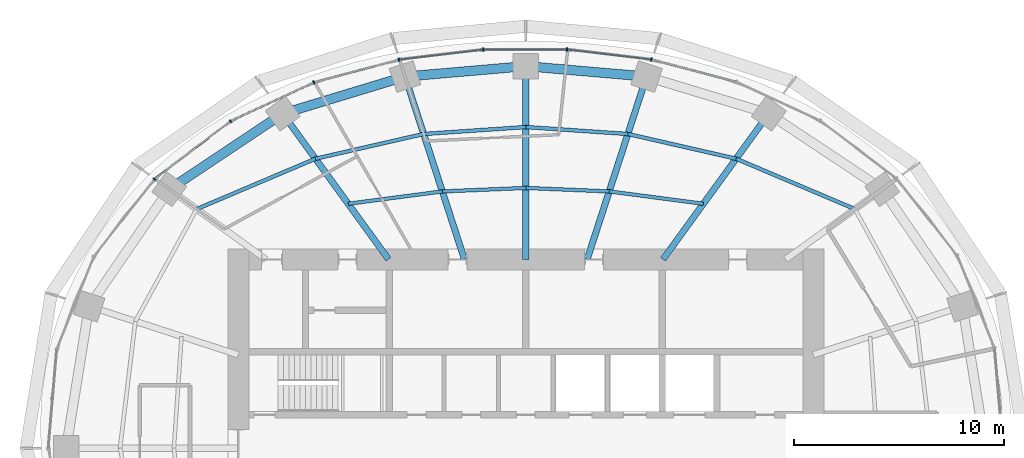
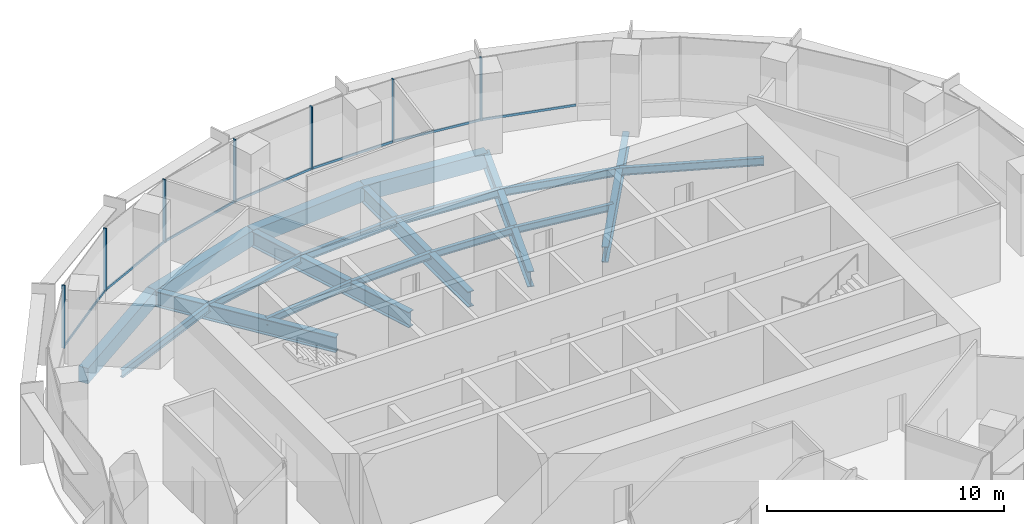
# One storey, part 6 of 13: 19 beams, 14 members, 2 elements without a shape of their own.
"""IFC4 building model written with IfcOpenShell, lengths in metres."""

import ifcopenshell
import ifcopenshell.guid

model = None  # the IFC model being written
_history = None  # IfcOwnerHistory: only IFC2X3 demands one
_inside = {}  # id of a spatial element -> (the spatial element, [elements in it])
_under = {}  # id of a project, library or spatial element -> (it, [spatial elements below it])
_declared = {}  # id of a project -> (the project, [libraries it declares])
_typed = {}  # id of a type object -> (the type object, [elements of that type])
_made_of = {}  # id of a material, layer set ... -> (it, [elements and type objects made of it])


def new_model(schema):
    """Start an empty IFC model of exactly this schema.

    Asked for "IFC4X3", IfcOpenShell would pick the latest addendum, in which some entities
    have other attributes; the version numbers below select the first issue.
    IFC2X3 requires an IfcOwnerHistory on every rooted entity: one is made here for all.
    """
    global model, _history
    if schema == "IFC4X3":
        model = ifcopenshell.file(schema_version=(4, 3, 0, 0))
    else:
        model = ifcopenshell.file(schema=schema)
    _inside.clear()
    _under.clear()
    _declared.clear()
    _typed.clear()
    _made_of.clear()
    _history = None
    if model.schema == "IFC2X3":
        org = make("IfcOrganization", Name="unknown")
        user = make(
            "IfcPersonAndOrganization",
            ThePerson=make("IfcPerson", FamilyName="unknown"),
            TheOrganization=org,
        )
        app = make(
            "IfcApplication",
            ApplicationDeveloper=org,
            Version="unknown",
            ApplicationFullName="unknown",
            ApplicationIdentifier="unknown",
        )
        _history = make(
            "IfcOwnerHistory",
            OwningUser=user,
            OwningApplication=app,
            ChangeAction="ADDED",
            CreationDate=0,
        )
    return model


def make(cls, **values):
    """One entity of the class cls with the attributes given. An attribute that is None is left unset."""
    return model.create_entity(
        cls, **{name: value for name, value in values.items() if value is not None}
    )


def rooted(cls, **values):
    """An entity with a GlobalId (a new one), such as an element, a storey or a relation."""
    return make(cls, GlobalId=ifcopenshell.guid.new(), OwnerHistory=_history, **values)


def si_unit(unit_type, name, prefix=None):
    """IfcSIUnit, for example si_unit("LENGTHUNIT", "METRE", prefix="MILLI")."""
    return make("IfcSIUnit", UnitType=unit_type, Prefix=prefix, Name=name)


def assignment(units):
    """IfcUnitAssignment: the units of a project."""
    return None if units is None else make("IfcUnitAssignment", Units=units)


def point(xyz):
    """IfcCartesianPoint."""
    return None if xyz is None else make("IfcCartesianPoint", Coordinates=xyz)


def direction(xyz):
    """IfcDirection."""
    return None if xyz is None else make("IfcDirection", DirectionRatios=xyz)


def frame(location, z_axis=None, x_axis=None):
    """IfcAxis2Placement3D, a coordinate frame: its origin and axes. An axis left out is left unset."""
    return make(
        "IfcAxis2Placement3D",
        Location=point(location),
        Axis=direction(z_axis),
        RefDirection=direction(x_axis),
    )


def frame_2d(location, x_axis=None):
    """IfcAxis2Placement2D, a coordinate frame in the plane: its origin and x axis."""
    return make(
        "IfcAxis2Placement2D", Location=point(location), RefDirection=direction(x_axis)
    )


def origin():
    """The frame at (0, 0, 0) with its axes left unset."""
    return frame((0.0, 0.0, 0.0))


def origin_2d():
    """The frame at (0, 0) in the plane with its x axis left unset."""
    return frame_2d((0.0, 0.0))


def place(relative_to, where):
    """IfcLocalPlacement: puts the frame where relative to a parent placement (None: the world)."""
    return make(
        "IfcLocalPlacement", PlacementRelTo=relative_to, RelativePlacement=where
    )


def context(
    kind, dimensions, precision=None, world=None, true_north=None, identifier=None
):
    """IfcGeometricRepresentationContext, for example the 3D "Model" context."""
    return make(
        "IfcGeometricRepresentationContext",
        ContextIdentifier=identifier,
        ContextType=kind,
        CoordinateSpaceDimension=dimensions,
        Precision=precision,
        WorldCoordinateSystem=world,
        TrueNorth=true_north,
    )


def subcontext(parent, identifier, kind, view, scale=None):
    """IfcGeometricRepresentationSubContext, for example "Body" below "Model"."""
    return make(
        "IfcGeometricRepresentationSubContext",
        ContextIdentifier=identifier,
        ContextType=kind,
        ParentContext=parent,
        TargetScale=scale,
        TargetView=view,
    )


def project(units=None, contexts=None):
    """IfcProject with its units and contexts."""
    return rooted(
        "IfcProject",
        Name="project",
        RepresentationContexts=contexts,
        UnitsInContext=assignment(units),
    )


def spatial(cls, under=None, at=None, **own):
    """A site, building, storey or space (cls), placed at a placement, below another one or the project."""
    s = rooted(cls, ObjectPlacement=at, **own)
    if under is not None:
        _under.setdefault(under.id(), (under, []))[1].append(s)
    return s


def profile(cls, at=None, kind="AREA", **sizes):
    """A parametric profile (cls). Its sizes go by their IFC names, for example OverallWidth=200.0."""
    return make(cls, ProfileType=kind, Position=at, **sizes)


def rectangle(**sizes):
    """IfcRectangleProfileDef."""
    return profile("IfcRectangleProfileDef", **sizes)


def i_section(**sizes):
    """IfcIShapeProfileDef."""
    return profile("IfcIShapeProfileDef", **sizes)


def extrude(swept, where, along, depth):
    """IfcExtrudedAreaSolid: the profile swept, set in the frame where, extruded along a direction by depth."""
    return make(
        "IfcExtrudedAreaSolid",
        SweptArea=swept,
        Position=where,
        ExtrudedDirection=direction(along),
        Depth=depth,
    )


def shape(context_of_items, identifier, shape_type, items):
    """IfcShapeRepresentation: the items that make up one representation, for example the "Body"."""
    return make(
        "IfcShapeRepresentation",
        ContextOfItems=context_of_items,
        RepresentationIdentifier=identifier,
        RepresentationType=shape_type,
        Items=items,
    )


def material(Name=None, Category=None):
    """IfcMaterial."""
    return make("IfcMaterial", Name=Name, Category=Category)


def material_profile(
    of_material, cross_section, Name=None, Category=None, Priority=None
):
    """IfcMaterialProfile: a cross section and its material."""
    return make(
        "IfcMaterialProfile",
        Name=Name,
        Material=of_material,
        Profile=cross_section,
        Priority=Priority,
        Category=Category,
    )


def profile_set(profiles, Name=None, composite=None):
    """IfcMaterialProfileSet."""
    return make(
        "IfcMaterialProfileSet",
        Name=Name,
        MaterialProfiles=profiles,
        CompositeProfile=composite,
    )


def made_of(thing, what):
    """Note that an element or type object is made of a material, layer set ...; save() writes the relation."""
    if what is not None:
        _made_of.setdefault(what.id(), (what, []))[1].append(thing)
    return thing


def type_object(cls, material=None, **own):
    """A type object (cls), such as IfcWallType, which elements share."""
    return made_of(rooted(cls, **own), material)


def element(
    cls,
    number,
    at=None,
    inside=None,
    cuts=None,
    type_object=None,
    material=None,
    context=None,
    identifier="Body",
    shape_type=None,
    held_by="IfcProductDefinitionShape",
    body=None,
    shapes=None,
    **own,
):
    """One element of the class cls, such as IfcWall. Its Tag is "e" and its number.

    at: its placement. inside: the storey or other place that contains it. cuts: it is an
    opening in that element (IfcRelVoidsElement). A single representation is given by context,
    identifier, shape_type and body (its items); several are given by shapes. held_by: the class
    of the entity that holds the representations. save() writes the other relations.
    """
    e = rooted(cls, Tag="e%d" % number, ObjectPlacement=at, **own)
    if body is not None:
        shapes = [shape(context, identifier, shape_type, body)]
    if shapes is not None:
        e.Representation = make(held_by, Representations=shapes)
    if inside is not None:
        _inside.setdefault(inside.id(), (inside, []))[1].append(e)
    if cuts is not None:
        rooted(
            "IfcRelVoidsElement", RelatingBuildingElement=cuts, RelatedOpeningElement=e
        )
    if type_object is not None:
        _typed.setdefault(type_object.id(), (type_object, []))[1].append(e)
    return made_of(e, material)


def aggregate(whole, parts):
    """IfcRelAggregates: a whole, such as a stair, and the parts it consists of."""
    return rooted("IfcRelAggregates", RelatingObject=whole, RelatedObjects=parts)


def save(model, path):
    """Write the relations noted so far, then the file.

    IfcRelAggregates (storeys below a building ...), IfcRelContainedInSpatialStructure (elements
    in a storey), IfcRelDefinesByType, IfcRelAssociatesMaterial and IfcRelDeclares: one each for
    every whole, place, type object, material and project.
    """
    for whole, parts in _under.values():
        aggregate(whole, parts)
    for where, things in _inside.values():
        rooted(
            "IfcRelContainedInSpatialStructure",
            RelatedElements=things,
            RelatingStructure=where,
        )
    for kind, things in _typed.values():
        rooted("IfcRelDefinesByType", RelatedObjects=things, RelatingType=kind)
    for what, things in _made_of.values():
        rooted("IfcRelAssociatesMaterial", RelatedObjects=things, RelatingMaterial=what)
    for by, libraries in _declared.values():
        rooted("IfcRelDeclares", RelatingContext=by, RelatedDefinitions=libraries)
    model.write(path)


model = new_model("IFC4")

# Units and contexts
model_context = context("Model", 3, precision=1e-05, world=origin(), true_north=direction((0.0, 1.0)))
body_context = subcontext(model_context, "Body", "Model", "MODEL_VIEW")
ifc_project = project(units=[si_unit("LENGTHUNIT", "METRE"), si_unit("AREAUNIT", "SQUARE_METRE"), si_unit("VOLUMEUNIT", "CUBIC_METRE"), si_unit("PLANEANGLEUNIT", "RADIAN"), si_unit("MASSUNIT", "GRAM", prefix="KILO")], contexts=[model_context])

# Site, building, storey
site_placement = place(None, origin())
site = spatial("IfcSite", under=ifc_project, at=site_placement, CompositionType="ELEMENT")
building_placement = place(site_placement, origin())
building = spatial("IfcBuilding", under=site, at=building_placement, Name="Marramba Exchange Tower", CompositionType="ELEMENT")
storey_placement = place(building_placement, frame((0.0, 0.0, 260.199951171875)))
storey = spatial("IfcBuildingStorey", under=building, at=storey_placement, Name="L63", CompositionType="ELEMENT", Elevation=260.199951171875)

# Curtain wall, members
ifc_material_1 = material(Name="Aluminium framing, bronze anodised", Category="aluminium")
curtain_wall_type = type_object("IfcCurtainWallType", Name="Executive floor ribbon curtain wall", PredefinedType="USERDEFINED", material=ifc_material_1)
curtain_wall_1_placement = place(storey_placement, origin())
curtain_wall_1 = element("IfcCurtainWall", 1, at=curtain_wall_1_placement, inside=storey, type_object=curtain_wall_type, Name="Curtain wall CW5 L63 F06-F10", ObjectType="RIBBON CURTAIN WALL", PredefinedType="USERDEFINED")
ifc_material_2 = material(Name="Aluminium mullion, bronze anodised", Category="aluminium")
ifc_material_profile_1 = material_profile(ifc_material_2, rectangle(XDim=0.159912109375, YDim=0.06005859375, at=origin_2d()), Name="CW5 mullion 60x160")
ifc_profile_set_1 = profile_set([ifc_material_profile_1], Name="Aluminium mullion, bronze anodised")
member_type_1 = type_object("IfcMemberType", Name="Executive floor ribbon curtain wall mullion", PredefinedType="MULLION", material=ifc_profile_set_1)
member_1_placement = place(storey_placement, frame((5.98681640625, 18.5205078125, 0.800048828125), z_axis=(0.0, 0.0, 1.0), x_axis=(-0.118556954505, -0.992947253654, 0.0)))
member_1 = element("IfcMember", 2, at=member_1_placement, type_object=member_type_1, Name="CW5 mullion 1", PredefinedType="MULLION", context=body_context, shape_type="SweptSolid", body=[
    extrude(rectangle(XDim=0.159912109375, YDim=0.06005859375, at=origin_2d()), origin(), (0.0, 0.0, 1.0), 3.239990234375),
])
member_2_placement = place(storey_placement, frame((1.966552734375, 18.9970703125, 0.800048828125), z_axis=(0.0, 0.0, 1.0), x_axis=(0.0, -1.0, 0.0)))
member_2 = element("IfcMember", 3, at=member_2_placement, type_object=member_type_1, Name="CW5 mullion 1", PredefinedType="MULLION", context=body_context, shape_type="SweptSolid", body=[
    extrude(rectangle(XDim=0.159912109375, YDim=0.06005859375, at=origin_2d()), origin(), (0.0, 0.0, 1.0), 3.239990234375),
])
member_3_placement = place(storey_placement, frame((-2.0263671875, 18.993408203125, 0.800048828125), z_axis=(0.0, 0.0, 1.0), x_axis=(0.118556954505, -0.992947253654, 0.0)))
member_3 = element("IfcMember", 4, at=member_3_placement, type_object=member_type_1, Name="CW5 mullion 1", PredefinedType="MULLION", context=body_context, shape_type="SweptSolid", body=[
    extrude(rectangle(XDim=0.159912109375, YDim=0.06005859375, at=origin_2d()), origin(), (0.0, 0.0, 1.0), 3.239990234375),
])
member_4_placement = place(storey_placement, frame((-6.045654296875, 18.50927734375, 0.800048828125), z_axis=(0.0, 0.0, 1.0), x_axis=(0.256125574813, -0.966643517501, 0.0)))
member_4 = element("IfcMember", 5, at=member_4_placement, type_object=member_type_1, Name="CW5 mullion 1", PredefinedType="MULLION", context=body_context, shape_type="SweptSolid", body=[
    extrude(rectangle(XDim=0.159912109375, YDim=0.06005859375, at=origin_2d()), origin(), (0.0, 0.0, 1.0), 3.239990234375),
])

curtain_wall_2_placement = place(storey_placement, origin())
curtain_wall_2 = element("IfcCurtainWall", 6, at=curtain_wall_2_placement, inside=storey, type_object=curtain_wall_type, Name="Curtain wall CW5 L63 F11-F15", ObjectType="RIBBON CURTAIN WALL", PredefinedType="USERDEFINED")
member_5_placement = place(storey_placement, frame((-10.097900390625, 17.43017578125, 0.800048828125), z_axis=(0.0, 0.0, 1.0), x_axis=(0.420849274712, -0.90713057934, 0.0)))
member_5 = element("IfcMember", 7, at=member_5_placement, type_object=member_type_1, Name="CW5 mullion 1", PredefinedType="MULLION", context=body_context, shape_type="SweptSolid", body=[
    extrude(rectangle(XDim=0.159912109375, YDim=0.06005859375, at=origin_2d()), origin(), (0.0, 0.0, 1.0), 3.239990234375),
])
member_6_placement = place(storey_placement, frame((-14.069091796875, 15.58056640625, 0.800048828125), z_axis=(0.0, 0.0, 1.0), x_axis=(0.605219156516, -0.796058900199, 0.0)))
member_6 = element("IfcMember", 8, at=member_6_placement, type_object=member_type_1, Name="CW5 mullion 1", PredefinedType="MULLION", context=body_context, shape_type="SweptSolid", body=[
    extrude(rectangle(XDim=0.159912109375, YDim=0.06005859375, at=origin_2d()), origin(), (0.0, 0.0, 1.0), 3.239990234375),
])
member_7_placement = place(storey_placement, frame((-17.69189453125, 12.81689453125, 0.800048828125), z_axis=(0.0, 0.0, 1.0), x_axis=(0.786002861604, -0.618222857512, 0.0)))
member_7 = element("IfcMember", 9, at=member_7_placement, type_object=member_type_1, Name="CW5 mullion 1", PredefinedType="MULLION", context=body_context, shape_type="SweptSolid", body=[
    extrude(rectangle(XDim=0.159912109375, YDim=0.06005859375, at=origin_2d()), origin(), (0.0, 0.0, 1.0), 3.239990234375),
])

# Member
ifc_material_3 = material(Name="Aluminium transom, bronze anodised", Category="aluminium")
ifc_material_profile_2 = material_profile(ifc_material_3, rectangle(XDim=0.06005859375, YDim=0.1201171875, at=origin_2d()), Name="CW5 transom 60x120")
ifc_profile_set_2 = profile_set([ifc_material_profile_2], Name="Aluminium transom, bronze anodised")
member_type_2 = type_object("IfcMemberType", Name="Executive floor ribbon curtain wall transom", PredefinedType="USERDEFINED", material=ifc_profile_set_2)
member_8_placement = place(storey_placement, frame((10.0126953125, 17.458251953125, 0.830078125), z_axis=(-0.966642465832, 0.256129543885, 0.0), x_axis=(-0.256129543885, -0.966642465832, 0.0)))
member_8 = element("IfcMember", 10, at=member_8_placement, type_object=member_type_2, Name="CW5 sill transom", ObjectType="TRANSOM", PredefinedType="USERDEFINED", context=body_context, shape_type="SweptSolid", body=[
    extrude(rectangle(XDim=0.06005859375, YDim=0.1201171875, at=origin_2d()), origin(), (0.0, 0.0, 1.0), 4.134033203125),
])

member_9_placement = place(storey_placement, frame((5.95703125, 18.524169921875, 0.830078125), z_axis=(-0.992946470513, 0.118563513339, 0.0), x_axis=(-0.118563513339, -0.992946470513, 0.0)))
member_9 = element("IfcMember", 11, at=member_9_placement, type_object=member_type_2, Name="CW5 sill transom", ObjectType="TRANSOM", PredefinedType="USERDEFINED", context=body_context, shape_type="SweptSolid", body=[
    extrude(rectangle(XDim=0.06005859375, YDim=0.1201171875, at=origin_2d()), origin(), (0.0, 0.0, 1.0), 3.988525390625),
])

member_10_placement = place(storey_placement, frame((1.936767578125, 18.9970703125, 0.830078125), z_axis=(-1.0, 0.0, 0.0), x_axis=(0.0, -1.0, 0.0)))
member_10 = element("IfcMember", 12, at=member_10_placement, type_object=member_type_2, Name="CW5 sill transom", ObjectType="TRANSOM", PredefinedType="USERDEFINED", context=body_context, shape_type="SweptSolid", body=[
    extrude(rectangle(XDim=0.06005859375, YDim=0.1201171875, at=origin_2d()), origin(), (0.0, 0.0, 1.0), 3.933349609375),
])

member_11_placement = place(storey_placement, frame((-2.05615234375, 18.98974609375, 0.830078125), z_axis=(-0.992953674799, -0.11850316326, 0.0), x_axis=(0.11850316326, -0.992953674799, 0.0)))
member_11 = element("IfcMember", 13, at=member_11_placement, type_object=member_type_2, Name="CW5 sill transom", ObjectType="TRANSOM", PredefinedType="USERDEFINED", context=body_context, shape_type="SweptSolid", body=[
    extrude(rectangle(XDim=0.06005859375, YDim=0.1201171875, at=origin_2d()), origin(), (0.0, 0.0, 1.0), 3.988525390625),
])

member_12_placement = place(storey_placement, frame((-6.074462890625, 18.501708984375, 0.830078125), z_axis=(-0.966642465832, -0.256129543885, 0.0), x_axis=(0.256129543885, -0.966642465832, 0.0)))
member_12 = element("IfcMember", 14, at=member_12_placement, type_object=member_type_2, Name="CW5 sill transom", ObjectType="TRANSOM", PredefinedType="USERDEFINED", context=body_context, shape_type="SweptSolid", body=[
    extrude(rectangle(XDim=0.06005859375, YDim=0.1201171875, at=origin_2d()), origin(), (0.0, 0.0, 1.0), 4.134033203125),
])

aggregate(curtain_wall_1, [member_8, member_1, member_9, member_2, member_10, member_3, member_11, member_4, member_12])

member_13_placement = place(storey_placement, frame((-10.125, 17.41748046875, 0.830078125), z_axis=(-0.907139165053, -0.420830767919, 0.0), x_axis=(0.420830767919, -0.907139165053, 0.0)))
member_13 = element("IfcMember", 15, at=member_13_placement, type_object=member_type_2, Name="CW5 sill transom", ObjectType="TRANSOM", PredefinedType="USERDEFINED", context=body_context, shape_type="SweptSolid", body=[
    extrude(rectangle(XDim=0.06005859375, YDim=0.1201171875, at=origin_2d()), origin(), (0.0, 0.0, 1.0), 4.321533203125),
])

member_14_placement = place(storey_placement, frame((-14.093017578125, 15.5625, 0.830078125), z_axis=(-0.796068041642, -0.605207132374, 0.0), x_axis=(0.605207132374, -0.796068041642, 0.0)))
member_14 = element("IfcMember", 16, at=member_14_placement, type_object=member_type_2, Name="CW5 sill transom", ObjectType="TRANSOM", PredefinedType="USERDEFINED", context=body_context, shape_type="SweptSolid", body=[
    extrude(rectangle(XDim=0.06005859375, YDim=0.1201171875, at=origin_2d()), origin(), (0.0, 0.0, 1.0), 4.49755859375),
])

aggregate(curtain_wall_2, [member_5, member_13, member_6, member_14, member_7])

# Beams
ifc_material_4 = material(Name="Steel AS/NZS 3679.1 grade 300", Category="steel")
ifc_material_profile_3 = material_profile(ifc_material_4, i_section(OverallWidth=0.1708984375, OverallDepth=0.35595703125, WebThickness=0.00732421875, FlangeThickness=0.011474609375, FilletRadius=0.011474609375, at=origin_2d()), Name="360UB50.7")
ifc_profile_set_3 = profile_set([ifc_material_profile_3], Name="Steel AS/NZS 3679.1 grade 300")
beam_type_1 = type_object("IfcBeamType", Name="Floor joist 360UB50.7", PredefinedType="JOIST", material=ifc_profile_set_3)
beam_1_placement = place(storey_placement, frame((8.4619140625, 11.646728515625, -0.337890625), z_axis=(-0.991480538255, 0.130254912618, 0.0), x_axis=(-0.130254912618, -0.991480538255, 0.0)))
element("IfcBeam", 17, at=beam_1_placement, inside=storey, type_object=beam_type_1, Name="Joist L63 bay 04 row 1", PredefinedType="JOIST", context=body_context, shape_type="SweptSolid", body=[
    extrude(i_section(OverallWidth=0.1708984375, OverallDepth=0.35595703125, WebThickness=0.00732421875, FlangeThickness=0.011474609375, FilletRadius=0.011474609375, at=origin_2d()), origin(), (0.0, 0.0, 1.0), 4.524658203125),
])
for number, where, z_axis, x_axis, name in (
    (18, (3.975830078125, 12.236083984375, -0.337890625), (-0.999137002892, 0.041536122257, 0.0), (-0.041536122257, -0.999137002892, 0.0), "Joist L63 bay 05 row 1"),
    (19, (0.0, 12.4013671875, -0.337890625), (-0.999137002892, -0.041536122257, 0.0), (0.041536122257, -0.999137002892, 0.0), "Joist L63 bay 06 row 1"),
):
    element("IfcBeam", number, at=place(storey_placement, frame(where, z_axis=z_axis, x_axis=x_axis)), inside=storey, type_object=beam_type_1, Name=name, PredefinedType="JOIST", context=body_context, shape_type="SweptSolid", body=[
        extrude(i_section(OverallWidth=0.1708984375, OverallDepth=0.35595703125, WebThickness=0.00732421875, FlangeThickness=0.011474609375, FilletRadius=0.011474609375, at=origin_2d()), origin(), (0.0, 0.0, 1.0), 3.979248046875),
    ])
beam_2_placement = place(storey_placement, frame((-3.975830078125, 12.236083984375, -0.337890625), z_axis=(-0.991480538255, -0.130254912618, 0.0), x_axis=(0.130254912618, -0.991480538255, 0.0)))
element("IfcBeam", 20, at=beam_2_placement, inside=storey, type_object=beam_type_1, Name="Joist L63 bay 07 row 1", PredefinedType="JOIST", context=body_context, shape_type="SweptSolid", body=[
    extrude(i_section(OverallWidth=0.1708984375, OverallDepth=0.35595703125, WebThickness=0.00732421875, FlangeThickness=0.011474609375, FilletRadius=0.011474609375, at=origin_2d()), origin(), (0.0, 0.0, 1.0), 4.524658203125),
])
ifc_material_profile_4 = material_profile(ifc_material_4, i_section(OverallWidth=0.177978515625, OverallDepth=0.403076171875, WebThickness=0.007568359375, FlangeThickness=0.010986328125, FilletRadius=0.011474609375, at=origin_2d()), Name="410UB53.7")
ifc_profile_set_4 = profile_set([ifc_material_profile_4], Name="Steel AS/NZS 3679.1 grade 300")
beam_type_2 = type_object("IfcBeamType", Name="Floor joist 410UB53.7", PredefinedType="JOIST", material=ifc_profile_set_4)
beam_3_placement = place(storey_placement, frame((15.682373046875, 11.393798828125, -0.361572265625), z_axis=(-0.920674336375, 0.390331610738, 0.0), x_axis=(-0.390331610738, -0.920674336375, 0.0)))
element("IfcBeam", 21, at=beam_3_placement, inside=storey, type_object=beam_type_2, Name="Joist L63 bay 03 row 2", PredefinedType="JOIST", context=body_context, shape_type="SweptSolid", body=[
    extrude(i_section(OverallWidth=0.177978515625, OverallDepth=0.403076171875, WebThickness=0.007568359375, FlangeThickness=0.010986328125, FilletRadius=0.011474609375, at=origin_2d()), origin(), (0.0, 0.0, 1.0), 6.1484375),
])
beam_4_placement = place(storey_placement, frame((10.021728515625, 13.793701171875, -0.361572265625), z_axis=(-0.974859652292, 0.222819788916, 0.0), x_axis=(-0.222819788916, -0.974859652292, 0.0)))
element("IfcBeam", 22, at=beam_4_placement, inside=storey, type_object=beam_type_2, Name="Joist L63 bay 04 row 2", PredefinedType="JOIST", context=body_context, shape_type="SweptSolid", body=[
    extrude(i_section(OverallWidth=0.177978515625, OverallDepth=0.403076171875, WebThickness=0.007568359375, FlangeThickness=0.010986328125, FilletRadius=0.011474609375, at=origin_2d()), origin(), (0.0, 0.0, 1.0), 5.2900390625),
])
for number, where, z_axis, x_axis, name in (
    (23, (4.86474609375, 14.972412109375, -0.361572265625), (-0.997702652202, 0.067745241816, 0.0), (-0.067745241816, -0.997702652202, 0.0), "Joist L63 bay 05 row 2"),
    (24, (0.0, 15.302734375, -0.361572265625), (-0.997702652202, -0.067745241816, 0.0), (0.067745241816, -0.997702652202, 0.0), "Joist L63 bay 06 row 2"),
):
    element("IfcBeam", number, at=place(storey_placement, frame(where, z_axis=z_axis, x_axis=x_axis)), inside=storey, type_object=beam_type_2, Name=name, PredefinedType="JOIST", context=body_context, shape_type="SweptSolid", body=[
        extrude(i_section(OverallWidth=0.177978515625, OverallDepth=0.403076171875, WebThickness=0.007568359375, FlangeThickness=0.010986328125, FilletRadius=0.011474609375, at=origin_2d()), origin(), (0.0, 0.0, 1.0), 4.8759765625),
    ])
beam_5_placement = place(storey_placement, frame((-4.86474609375, 14.972412109375, -0.361572265625), z_axis=(-0.974859652292, -0.222819788916, 0.0), x_axis=(0.222819788916, -0.974859652292, 0.0)))
element("IfcBeam", 25, at=beam_5_placement, inside=storey, type_object=beam_type_2, Name="Joist L63 bay 07 row 2", PredefinedType="JOIST", context=body_context, shape_type="SweptSolid", body=[
    extrude(i_section(OverallWidth=0.177978515625, OverallDepth=0.403076171875, WebThickness=0.007568359375, FlangeThickness=0.010986328125, FilletRadius=0.011474609375, at=origin_2d()), origin(), (0.0, 0.0, 1.0), 5.2900390625),
])
beam_6_placement = place(storey_placement, frame((-10.021728515625, 13.793701171875, -0.361572265625), z_axis=(-0.920674336375, -0.390331610738, 0.0), x_axis=(0.390331610738, -0.920674336375, 0.0)))
element("IfcBeam", 26, at=beam_6_placement, inside=storey, type_object=beam_type_2, Name="Joist L63 bay 08 row 2", PredefinedType="JOIST", context=body_context, shape_type="SweptSolid", body=[
    extrude(i_section(OverallWidth=0.177978515625, OverallDepth=0.403076171875, WebThickness=0.007568359375, FlangeThickness=0.010986328125, FilletRadius=0.011474609375, at=origin_2d()), origin(), (0.0, 0.0, 1.0), 6.1484375),
])
ifc_material_5 = material(Name="Steel AS/NZS 3679.2 grade 300", Category="steel")
ifc_material_profile_5 = material_profile(ifc_material_5, i_section(OverallWidth=0.300048828125, OverallDepth=0.800048828125, WebThickness=0.013916015625, FlangeThickness=0.031982421875, at=origin_2d()), Name="800WB192")
ifc_profile_set_5 = profile_set([ifc_material_profile_5], Name="Steel AS/NZS 3679.2 grade 300")
beam_type_3 = type_object("IfcBeamType", Name="Radial girder 800WB192", PredefinedType="BEAM", material=ifc_profile_set_5)
beam_7_placement = place(storey_placement, frame((6.538818359375, 9.0, -0.56005859375), z_axis=(0.587782439969, 0.80901903764, 0.0), x_axis=(-0.80901903764, 0.587782439969, 0.0)))
element("IfcBeam", 27, at=beam_7_placement, inside=storey, type_object=beam_type_3, Name="Radial girder L63 TC04", PredefinedType="BEAM", context=body_context, shape_type="SweptSolid", body=[
    extrude(i_section(OverallWidth=0.300048828125, OverallDepth=0.800048828125, WebThickness=0.013916015625, FlangeThickness=0.031982421875, at=origin_2d()), origin(), (0.0, 0.0, 1.0), 8.578857421875),
])
beam_8_placement = place(storey_placement, frame((2.92431640625, 9.0, -0.56005859375), z_axis=(0.309019754162, 0.951055619582, 0.0), x_axis=(-0.951055619582, 0.309019754162, 0.0)))
element("IfcBeam", 28, at=beam_8_placement, inside=storey, type_object=beam_type_3, Name="Radial girder L63 TC05", PredefinedType="BEAM", context=body_context, shape_type="SweptSolid", body=[
    extrude(i_section(OverallWidth=0.300048828125, OverallDepth=0.800048828125, WebThickness=0.013916015625, FlangeThickness=0.031982421875, at=origin_2d()), origin(), (0.0, 0.0, 1.0), 9.15673828125),
])
beam_9_placement = place(storey_placement, frame((0.0, 9.0, -0.56005859375), z_axis=(0.0, 1.0, 0.0), x_axis=(-1.0, 0.0, 0.0)))
element("IfcBeam", 29, at=beam_9_placement, inside=storey, type_object=beam_type_3, Name="Radial girder L63 TC06", PredefinedType="BEAM", context=body_context, shape_type="SweptSolid", body=[
    extrude(i_section(OverallWidth=0.300048828125, OverallDepth=0.800048828125, WebThickness=0.013916015625, FlangeThickness=0.031982421875, at=origin_2d()), origin(), (0.0, 0.0, 1.0), 9.2041015625),
])
beam_10_placement = place(storey_placement, frame((-2.92431640625, 9.0, -0.56005859375), z_axis=(-0.309019754162, 0.951055619582, 0.0), x_axis=(-0.951055619582, -0.309019754162, 0.0)))
element("IfcBeam", 30, at=beam_10_placement, inside=storey, type_object=beam_type_3, Name="Radial girder L63 TC07", PredefinedType="BEAM", context=body_context, shape_type="SweptSolid", body=[
    extrude(i_section(OverallWidth=0.300048828125, OverallDepth=0.800048828125, WebThickness=0.013916015625, FlangeThickness=0.031982421875, at=origin_2d()), origin(), (0.0, 0.0, 1.0), 9.15673828125),
])
beam_11_placement = place(storey_placement, frame((-6.538818359375, 9.0, -0.56005859375), z_axis=(-0.587782439969, 0.80901903764, 0.0), x_axis=(-0.80901903764, -0.587782439969, 0.0)))
element("IfcBeam", 31, at=beam_11_placement, inside=storey, type_object=beam_type_3, Name="Radial girder L63 TC08", PredefinedType="BEAM", context=body_context, shape_type="SweptSolid", body=[
    extrude(i_section(OverallWidth=0.300048828125, OverallDepth=0.800048828125, WebThickness=0.013916015625, FlangeThickness=0.031982421875, at=origin_2d()), origin(), (0.0, 0.0, 1.0), 8.578857421875),
])
ifc_material_6 = material(Name="Concrete N50", Category="concrete")
ifc_material_profile_6 = material_profile(ifc_material_6, rectangle(XDim=0.449951171875, YDim=0.800048828125, at=origin_2d()), Name="RC 450x800")
ifc_profile_set_6 = profile_set([ifc_material_profile_6], Name="Concrete N50")
beam_type_4 = type_object("IfcBeamType", Name="Ring beam RC 450x800 N50", PredefinedType="SPANDREL", material=ifc_profile_set_6)
for number, where, z_axis, x_axis, name in (
    (32, (5.75390625, 17.70849609375, -0.56005859375), (-0.996311003275, 0.085815993578, 0.0), (-0.085815993578, -0.996311003275, 0.0), "Ring beam L63 TC05-TC06"),
    (33, (0.0, 18.2041015625, -0.56005859375), (-0.996311003275, -0.085815993578, 0.0), (0.085815993578, -0.996311003275, 0.0), "Ring beam L63 TC06-TC07"),
):
    element("IfcBeam", number, at=place(storey_placement, frame(where, z_axis=z_axis, x_axis=x_axis)), inside=storey, type_object=beam_type_4, Name=name, PredefinedType="SPANDREL", context=body_context, shape_type="SweptSolid", body=[
        extrude(rectangle(XDim=0.449951171875, YDim=0.800048828125, at=origin_2d()), origin(), (0.0, 0.0, 1.0), 5.775146484375),
    ])
beam_12_placement = place(storey_placement, frame((-5.75390625, 17.70849609375, -0.56005859375), z_axis=(-0.956924542524, -0.290336735387, 0.0), x_axis=(0.290336735387, -0.956924542524, 0.0)))
element("IfcBeam", 34, at=beam_12_placement, inside=storey, type_object=beam_type_4, Name="Ring beam L63 TC07-TC08", PredefinedType="SPANDREL", context=body_context, shape_type="SweptSolid", body=[
    extrude(rectangle(XDim=0.449951171875, YDim=0.800048828125, at=origin_2d()), origin(), (0.0, 0.0, 1.0), 6.089599609375),
])
beam_13_placement = place(storey_placement, frame((-11.581298828125, 15.9404296875, -0.56005859375), z_axis=(-0.832293151443, -0.554335737673, 0.0), x_axis=(0.554335737673, -0.832293151443, 0.0)))
element("IfcBeam", 35, at=beam_13_placement, inside=storey, type_object=beam_type_4, Name="Ring beam L63 TC08-TC09", PredefinedType="SPANDREL", context=body_context, shape_type="SweptSolid", body=[
    extrude(rectangle(XDim=0.449951171875, YDim=0.800048828125, at=origin_2d()), origin(), (0.0, 0.0, 1.0), 6.49365234375),
])

save(model, "model.ifc")
